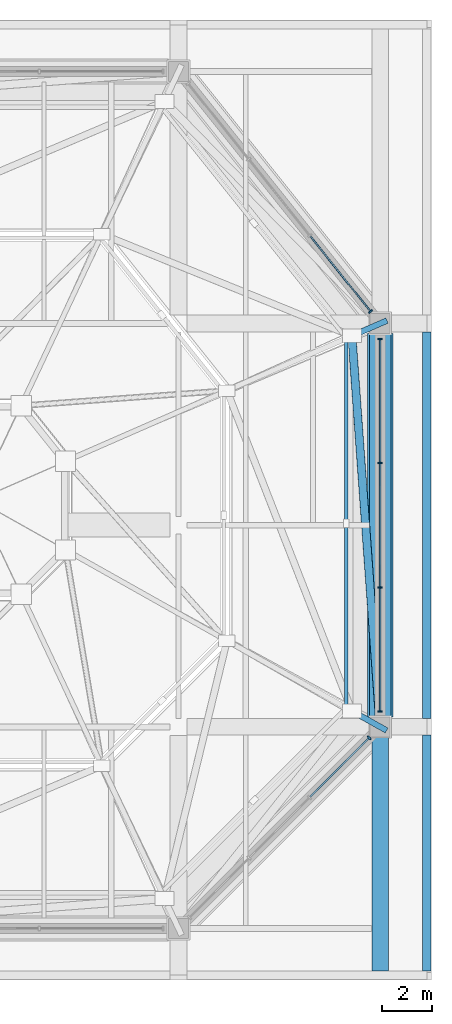
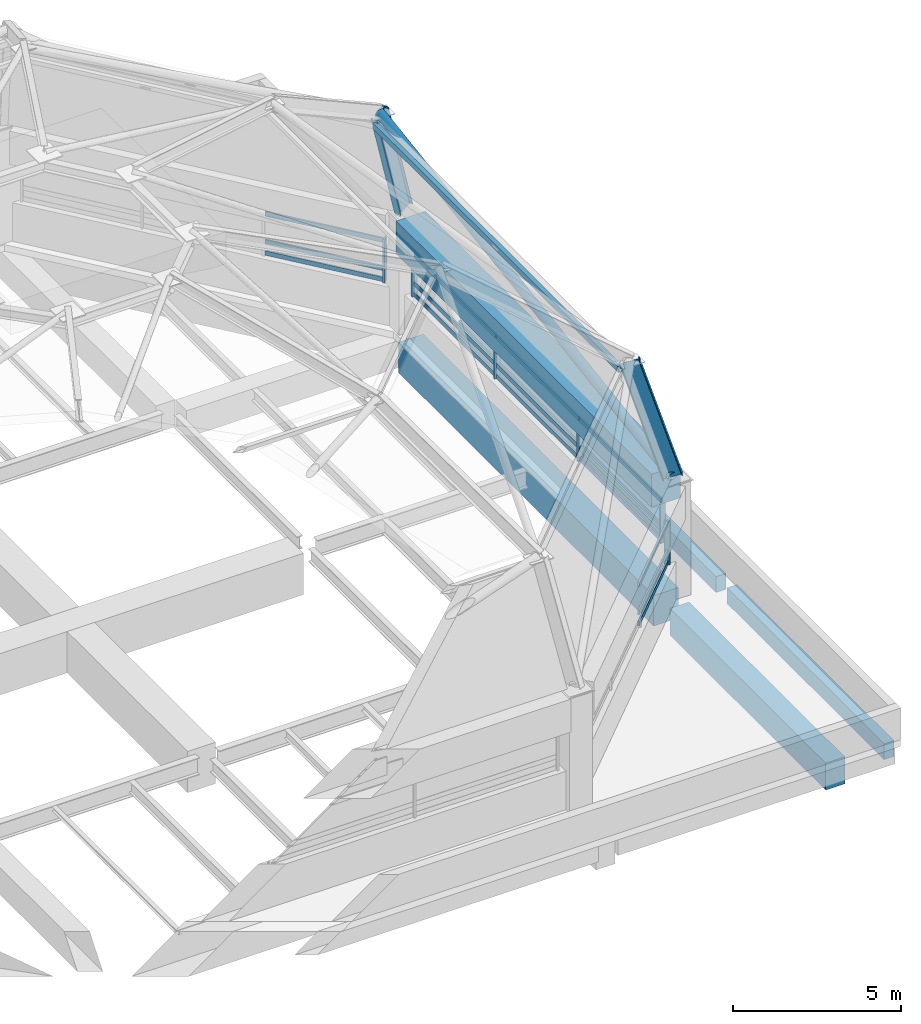
# One storey, part 6 of 10: 25 members, 5 beams, 3 elements without a shape of their own.
"""IFC4 building model written with IfcOpenShell, lengths in metres."""

from ifc_helpers import new_model, si_unit, direction, frame, origin, origin_2d, place, context, subcontext, project, spatial, rectangle, hollow_rectangle, hollow_circle, i_section, extrude, material, material_profile, profile_set, type_object, element, aggregate, save


model = new_model("IFC4")

# Units and contexts
model_context = context("Model", 3, precision=1e-05, world=origin(), true_north=direction((0.0, 1.0)))
body_context = subcontext(model_context, "Body", "Model", "MODEL_VIEW")
ifc_project = project(units=[si_unit("LENGTHUNIT", "METRE"), si_unit("AREAUNIT", "SQUARE_METRE"), si_unit("VOLUMEUNIT", "CUBIC_METRE"), si_unit("PLANEANGLEUNIT", "RADIAN"), si_unit("MASSUNIT", "GRAM", prefix="KILO")], contexts=[model_context])

# Site, building, storey
site_placement = place(None, origin())
site = spatial("IfcSite", under=ifc_project, at=site_placement, CompositionType="ELEMENT")
building_placement = place(site_placement, origin())
building = spatial("IfcBuilding", under=site, at=building_placement, Name="Pecanmere Concourse Central Library", CompositionType="ELEMENT")
storey_placement = place(building_placement, frame((0.0, 0.0, 34.800048828125)))
storey = spatial("IfcBuildingStorey", under=building, at=storey_placement, Name="ROOF", CompositionType="ELEMENT", Elevation=34.800048828125)

# Curtain wall, member
ifc_material_1 = material(Name="Anodized bronze aluminium alloy 6063-T6", Category="aluminium")
curtain_wall_type = type_object("IfcCurtainWallType", Name="CW_PORTAL_CLEAR", PredefinedType="USERDEFINED", material=ifc_material_1)
curtain_wall_1_placement = place(storey_placement, origin())
curtain_wall_1 = element("IfcCurtainWall", 1, at=curtain_wall_1_placement, inside=storey, type_object=curtain_wall_type, Name="Unitised Curtain Wall CW-03 ROOF-174", ObjectType="UNITISED CURTAIN WALL", PredefinedType="USERDEFINED")
ifc_material_2 = material(Name="Anodized bronze aluminium alloy 6063-T6", Category="aluminium")
ifc_material_profile_1 = material_profile(ifc_material_2, rectangle(XDim=0.06494140625, YDim=0.179931640625, at=origin_2d()), Name="AL 65x180")
ifc_profile_set_1 = profile_set([ifc_material_profile_1], Name="Anodized bronze aluminium alloy 6063-T6")
member_type_1 = type_object("IfcMemberType", Name="CWM_180x65", PredefinedType="MULLION", material=ifc_profile_set_1)
member_1_placement = place(storey_placement, frame((103.56689453125, 97.56689453125, 1.419921875), z_axis=(0.0, 0.0, 1.0), x_axis=(0.707106781187, 0.707106781187, 0.0)))
member_1 = element("IfcMember", 2, at=member_1_placement, type_object=member_type_1, Name="CW-03 Mullion 4", PredefinedType="MULLION", context=body_context, shape_type="SweptSolid", body=[
    extrude(rectangle(XDim=0.06494140625, YDim=0.179931640625, at=origin_2d()), origin(), (0.0, 0.0, 1.0), 1.580078125),
])

# Curtain wall, members
curtain_wall_2_placement = place(storey_placement, origin())
curtain_wall_2 = element("IfcCurtainWall", 3, at=curtain_wall_2_placement, inside=storey, type_object=curtain_wall_type, Name="Unitised Curtain Wall CW-03 ROOF-175", ObjectType="UNITISED CURTAIN WALL", PredefinedType="USERDEFINED")
member_2_placement = place(storey_placement, frame((104.0, 98.612548828125, 1.419921875), z_axis=(0.0, 0.0, 1.0), x_axis=(0.0, 1.0, 0.0)))
member_2 = element("IfcMember", 4, at=member_2_placement, type_object=member_type_1, Name="CW-03 Mullion 1", PredefinedType="MULLION", context=body_context, shape_type="SweptSolid", body=[
    extrude(rectangle(XDim=0.06494140625, YDim=0.179931640625, at=origin_2d()), origin(), (0.0, 0.0, 1.0), 1.580078125),
])
member_3_placement = place(storey_placement, frame((104.0, 103.526611328125, 1.419921875), z_axis=(0.0, 0.0, 1.0), x_axis=(0.0, 1.0, 0.0)))
member_3 = element("IfcMember", 5, at=member_3_placement, type_object=member_type_1, Name="CW-03 Mullion 2", PredefinedType="MULLION", context=body_context, shape_type="SweptSolid", body=[
    extrude(rectangle(XDim=0.06494140625, YDim=0.179931640625, at=origin_2d()), origin(), (0.0, 0.0, 1.0), 1.580078125),
])
member_4_placement = place(storey_placement, frame((104.0, 108.473388671875, 1.419921875), z_axis=(0.0, 0.0, 1.0), x_axis=(0.0, 1.0, 0.0)))
member_4 = element("IfcMember", 6, at=member_4_placement, type_object=member_type_1, Name="CW-03 Mullion 3", PredefinedType="MULLION", context=body_context, shape_type="SweptSolid", body=[
    extrude(rectangle(XDim=0.06494140625, YDim=0.179931640625, at=origin_2d()), origin(), (0.0, 0.0, 1.0), 1.580078125),
])
member_5_placement = place(storey_placement, frame((104.0, 113.387451171875, 1.419921875), z_axis=(0.0, 0.0, 1.0), x_axis=(0.0, 1.0, 0.0)))
member_5 = element("IfcMember", 7, at=member_5_placement, type_object=member_type_1, Name="CW-03 Mullion 4", PredefinedType="MULLION", context=body_context, shape_type="SweptSolid", body=[
    extrude(rectangle(XDim=0.06494140625, YDim=0.179931640625, at=origin_2d()), origin(), (0.0, 0.0, 1.0), 1.580078125),
])

# Curtain wall, member
curtain_wall_3_placement = place(storey_placement, origin())
curtain_wall_3 = element("IfcCurtainWall", 8, at=curtain_wall_3_placement, inside=storey, type_object=curtain_wall_type, Name="Unitised Curtain Wall CW-03 ROOF-176", ObjectType="UNITISED CURTAIN WALL", PredefinedType="USERDEFINED")
member_6_placement = place(storey_placement, frame((103.617431640625, 114.478271484375, 1.419921875), z_axis=(0.0, 0.0, 1.0), x_axis=(-0.62469714181, 0.780867134034, 0.0)))
member_6 = element("IfcMember", 9, at=member_6_placement, type_object=member_type_1, Name="CW-03 Mullion 1", PredefinedType="MULLION", context=body_context, shape_type="SweptSolid", body=[
    extrude(rectangle(XDim=0.06494140625, YDim=0.179931640625, at=origin_2d()), origin(), (0.0, 0.0, 1.0), 1.580078125),
])

# Member
ifc_material_3 = material(Name="Anodized bronze aluminium alloy 6063-T6", Category="aluminium")
ifc_material_profile_2 = material_profile(ifc_material_3, rectangle(XDim=0.06005859375, YDim=0.159912109375, at=origin_2d()), Name="AL 60x160")
ifc_profile_set_2 = profile_set([ifc_material_profile_2], Name="Anodized bronze aluminium alloy 6063-T6")
member_type_2 = type_object("IfcMemberType", Name="CWT_160x60", PredefinedType="USERDEFINED", material=ifc_profile_set_2)
member_7_placement = place(storey_placement, frame((101.2197265625, 95.2197265625, 1.5), z_axis=(0.707106781187, 0.707106781187, 0.0), x_axis=(-0.707106781187, 0.707106781187, 0.0)))
member_7 = element("IfcMember", 10, at=member_7_placement, type_object=member_type_2, Name="CW-03 Transom 3.1", ObjectType="TRANSOM", PredefinedType="USERDEFINED", context=body_context, shape_type="SweptSolid", body=[
    extrude(rectangle(XDim=0.06005859375, YDim=0.159912109375, at=origin_2d()), origin(), (0.0, 0.0, 1.0), 3.286865234375),
])

member_8_placement = place(storey_placement, frame((101.2197265625, 95.2197265625, 1.89990234375), z_axis=(0.707106781187, 0.707106781187, 0.0), x_axis=(-0.707106781187, 0.707106781187, 0.0)))
member_8 = element("IfcMember", 11, at=member_8_placement, type_object=member_type_2, Name="CW-03 Transom 3.2", ObjectType="TRANSOM", PredefinedType="USERDEFINED", context=body_context, shape_type="SweptSolid", body=[
    extrude(rectangle(XDim=0.06005859375, YDim=0.159912109375, at=origin_2d()), origin(), (0.0, 0.0, 1.0), 3.286865234375),
])

member_9_placement = place(storey_placement, frame((101.2197265625, 95.2197265625, 2.919921875), z_axis=(0.707106781187, 0.707106781187, 0.0), x_axis=(-0.707106781187, 0.707106781187, 0.0)))
member_9 = element("IfcMember", 12, at=member_9_placement, type_object=member_type_2, Name="CW-03 Transom 3.3", ObjectType="TRANSOM", PredefinedType="USERDEFINED", context=body_context, shape_type="SweptSolid", body=[
    extrude(rectangle(XDim=0.06005859375, YDim=0.159912109375, at=origin_2d()), origin(), (0.0, 0.0, 1.0), 3.286865234375),
])

aggregate(curtain_wall_1, [member_1, member_7, member_8, member_9])

member_10_placement = place(storey_placement, frame((104.0, 98.64501953125, 1.5), z_axis=(0.0, 1.0, 0.0), x_axis=(-1.0, 0.0, 0.0)))
member_10 = element("IfcMember", 13, at=member_10_placement, type_object=member_type_2, Name="CW-03 Transom 1.1", ObjectType="TRANSOM", PredefinedType="USERDEFINED", context=body_context, shape_type="SweptSolid", body=[
    extrude(rectangle(XDim=0.06005859375, YDim=0.159912109375, at=origin_2d()), origin(), (0.0, 0.0, 1.0), 4.84912109375),
])

member_11_placement = place(storey_placement, frame((104.0, 98.64501953125, 1.89990234375), z_axis=(0.0, 1.0, 0.0), x_axis=(-1.0, 0.0, 0.0)))
member_11 = element("IfcMember", 14, at=member_11_placement, type_object=member_type_2, Name="CW-03 Transom 1.2", ObjectType="TRANSOM", PredefinedType="USERDEFINED", context=body_context, shape_type="SweptSolid", body=[
    extrude(rectangle(XDim=0.06005859375, YDim=0.159912109375, at=origin_2d()), origin(), (0.0, 0.0, 1.0), 4.84912109375),
])

member_12_placement = place(storey_placement, frame((104.0, 98.64501953125, 2.919921875), z_axis=(0.0, 1.0, 0.0), x_axis=(-1.0, 0.0, 0.0)))
member_12 = element("IfcMember", 15, at=member_12_placement, type_object=member_type_2, Name="CW-03 Transom 1.3", ObjectType="TRANSOM", PredefinedType="USERDEFINED", context=body_context, shape_type="SweptSolid", body=[
    extrude(rectangle(XDim=0.06005859375, YDim=0.159912109375, at=origin_2d()), origin(), (0.0, 0.0, 1.0), 4.84912109375),
])

member_13_placement = place(storey_placement, frame((104.0, 103.55908203125, 1.5), z_axis=(0.0, 1.0, 0.0), x_axis=(-1.0, 0.0, 0.0)))
member_13 = element("IfcMember", 16, at=member_13_placement, type_object=member_type_2, Name="CW-03 Transom 2.1", ObjectType="TRANSOM", PredefinedType="USERDEFINED", context=body_context, shape_type="SweptSolid", body=[
    extrude(rectangle(XDim=0.06005859375, YDim=0.159912109375, at=origin_2d()), origin(), (0.0, 0.0, 1.0), 4.8818359375),
])

member_14_placement = place(storey_placement, frame((104.0, 103.55908203125, 1.89990234375), z_axis=(0.0, 1.0, 0.0), x_axis=(-1.0, 0.0, 0.0)))
member_14 = element("IfcMember", 17, at=member_14_placement, type_object=member_type_2, Name="CW-03 Transom 2.2", ObjectType="TRANSOM", PredefinedType="USERDEFINED", context=body_context, shape_type="SweptSolid", body=[
    extrude(rectangle(XDim=0.06005859375, YDim=0.159912109375, at=origin_2d()), origin(), (0.0, 0.0, 1.0), 4.8818359375),
])

member_15_placement = place(storey_placement, frame((104.0, 103.55908203125, 2.919921875), z_axis=(0.0, 1.0, 0.0), x_axis=(-1.0, 0.0, 0.0)))
member_15 = element("IfcMember", 18, at=member_15_placement, type_object=member_type_2, Name="CW-03 Transom 2.3", ObjectType="TRANSOM", PredefinedType="USERDEFINED", context=body_context, shape_type="SweptSolid", body=[
    extrude(rectangle(XDim=0.06005859375, YDim=0.159912109375, at=origin_2d()), origin(), (0.0, 0.0, 1.0), 4.8818359375),
])

member_16_placement = place(storey_placement, frame((104.0, 108.505859375, 1.5), z_axis=(0.0, 1.0, 0.0), x_axis=(-1.0, 0.0, 0.0)))
member_16 = element("IfcMember", 19, at=member_16_placement, type_object=member_type_2, Name="CW-03 Transom 3.1", ObjectType="TRANSOM", PredefinedType="USERDEFINED", context=body_context, shape_type="SweptSolid", body=[
    extrude(rectangle(XDim=0.06005859375, YDim=0.159912109375, at=origin_2d()), origin(), (0.0, 0.0, 1.0), 4.84912109375),
])

member_17_placement = place(storey_placement, frame((104.0, 108.505859375, 1.89990234375), z_axis=(0.0, 1.0, 0.0), x_axis=(-1.0, 0.0, 0.0)))
member_17 = element("IfcMember", 20, at=member_17_placement, type_object=member_type_2, Name="CW-03 Transom 3.2", ObjectType="TRANSOM", PredefinedType="USERDEFINED", context=body_context, shape_type="SweptSolid", body=[
    extrude(rectangle(XDim=0.06005859375, YDim=0.159912109375, at=origin_2d()), origin(), (0.0, 0.0, 1.0), 4.84912109375),
])

member_18_placement = place(storey_placement, frame((104.0, 108.505859375, 2.919921875), z_axis=(0.0, 1.0, 0.0), x_axis=(-1.0, 0.0, 0.0)))
member_18 = element("IfcMember", 21, at=member_18_placement, type_object=member_type_2, Name="CW-03 Transom 3.3", ObjectType="TRANSOM", PredefinedType="USERDEFINED", context=body_context, shape_type="SweptSolid", body=[
    extrude(rectangle(XDim=0.06005859375, YDim=0.159912109375, at=origin_2d()), origin(), (0.0, 0.0, 1.0), 4.84912109375),
])

aggregate(curtain_wall_2, [member_2, member_3, member_4, member_5, member_10, member_11, member_12, member_13, member_14, member_15, member_16, member_17, member_18])

member_19_placement = place(storey_placement, frame((103.59716796875, 114.503662109375, 1.5), z_axis=(-0.624695047554, 0.780868809443, 0.0), x_axis=(-0.780868809443, -0.624695047554, 0.0)))
member_19 = element("IfcMember", 22, at=member_19_placement, type_object=member_type_2, Name="CW-03 Transom 1.1", ObjectType="TRANSOM", PredefinedType="USERDEFINED", context=body_context, shape_type="SweptSolid", body=[
    extrude(rectangle(XDim=0.06005859375, YDim=0.159912109375, at=origin_2d()), origin(), (0.0, 0.0, 1.0), 3.78466796875),
])

member_20_placement = place(storey_placement, frame((103.59716796875, 114.503662109375, 1.89990234375), z_axis=(-0.624695047554, 0.780868809443, 0.0), x_axis=(-0.780868809443, -0.624695047554, 0.0)))
member_20 = element("IfcMember", 23, at=member_20_placement, type_object=member_type_2, Name="CW-03 Transom 1.2", ObjectType="TRANSOM", PredefinedType="USERDEFINED", context=body_context, shape_type="SweptSolid", body=[
    extrude(rectangle(XDim=0.06005859375, YDim=0.159912109375, at=origin_2d()), origin(), (0.0, 0.0, 1.0), 3.78466796875),
])

member_21_placement = place(storey_placement, frame((103.59716796875, 114.503662109375, 2.919921875), z_axis=(-0.624695047554, 0.780868809443, 0.0), x_axis=(-0.780868809443, -0.624695047554, 0.0)))
member_21 = element("IfcMember", 24, at=member_21_placement, type_object=member_type_2, Name="CW-03 Transom 1.3", ObjectType="TRANSOM", PredefinedType="USERDEFINED", context=body_context, shape_type="SweptSolid", body=[
    extrude(rectangle(XDim=0.06005859375, YDim=0.159912109375, at=origin_2d()), origin(), (0.0, 0.0, 1.0), 3.78466796875),
])

aggregate(curtain_wall_3, [member_6, member_19, member_20, member_21])

# Beam
ifc_material_4 = material(Name="Concrete C40/50", Category="concrete")
ifc_material_profile_3 = material_profile(ifc_material_4, rectangle(XDim=0.659912109375, YDim=0.97998046875, at=origin_2d()), Name="RC 660x980")
ifc_profile_set_3 = profile_set([ifc_material_profile_3], Name="Concrete C40/50")
beam_type_1 = type_object("IfcBeamType", Name="GRD_660x980", PredefinedType="USERDEFINED", material=ifc_profile_set_3)
beam_1_placement = place(storey_placement, frame((104.0, 88.318603515625, -0.72998046875), z_axis=(0.0, 1.0, 0.0), x_axis=(-1.0, 0.0, 0.0)))
element("IfcBeam", 25, at=beam_1_placement, inside=storey, type_object=beam_type_1, Name="Primary Girder Y ROOF-2884", ObjectType="GIRDER", PredefinedType="USERDEFINED", context=body_context, shape_type="SweptSolid", body=[
    extrude(rectangle(XDim=0.659912109375, YDim=0.97998046875, at=origin_2d()), origin(), (0.0, 0.0, 1.0), 9.281494140625),
])

# Members
ifc_material_5 = material(Name="Structural steel ASTM A500 Grade C", Category="steel")
ifc_material_profile_4 = material_profile(ifc_material_5, hollow_circle(Radius=0.162109375, WallThickness=0.0126953125, at=origin_2d()), Name="HSS323.9x12.7")
ifc_profile_set_4 = profile_set([ifc_material_profile_4], Name="Structural steel ASTM A500 Grade C")
member_type_3 = type_object("IfcMemberType", Name="MEM_BRACE_1", PredefinedType="BRACE", material=ifc_profile_set_4)
member_22_placement = place(storey_placement, frame((104.0, 98.0, 4.199951171875), z_axis=(-0.069539686351, 0.96290033439, 0.26074351009), x_axis=(-0.997402365713, -0.072031388089, 0.0)))
element("IfcMember", 26, at=member_22_placement, inside=storey, type_object=member_type_3, Name="Dome Lower Wind Brace 3", PredefinedType="BRACE", context=body_context, shape_type="SweptSolid", body=[
    extrude(hollow_circle(Radius=0.162109375, WallThickness=0.0126953125, at=origin_2d()), origin(), (0.0, 0.0, 1.0), 16.107666015625),
])
ifc_material_6 = material(Name="Structural steel ASTM A992 Grade 50", Category="steel")
ifc_material_profile_5 = material_profile(ifc_material_6, i_section(OverallWidth=0.22998046875, OverallDepth=0.616943359375, WebThickness=0.01318359375, FlangeThickness=0.022216796875, at=origin_2d()), Name="W610x140")
ifc_profile_set_5 = profile_set([ifc_material_profile_5], Name="Structural steel ASTM A992 Grade 50")
member_type_4 = type_object("IfcMemberType", Name="MEM_DOME_RIB_1", PredefinedType="USERDEFINED", material=ifc_profile_set_5)
member_23_placement = place(storey_placement, frame((104.0, 98.0, 4.199951171875), z_axis=(-0.255026926905, 0.143410957153, 0.956239804611), x_axis=(-0.490152996973, -0.871636414773, 0.0)))
element("IfcMember", 27, at=member_23_placement, inside=storey, type_object=member_type_4, Name="Octagonal Dome Arch Rib 3 Tier 1", ObjectType="ARCH_SEGMENT", PredefinedType="USERDEFINED", context=body_context, shape_type="SweptSolid", body=[
    extrude(i_section(OverallWidth=0.22998046875, OverallDepth=0.616943359375, WebThickness=0.01318359375, FlangeThickness=0.022216796875, at=origin_2d()), origin(), (0.0, 0.0, 1.0), 4.39208984375),
])
member_24_placement = place(storey_placement, frame((104.0, 114.0, 4.199951171875), z_axis=(-0.256068811776, -0.112016151969, 0.960146418696), x_axis=(0.40077693153, -0.9161756661, 0.0)))
element("IfcMember", 28, at=member_24_placement, inside=storey, type_object=member_type_4, Name="Octagonal Dome Arch Rib 4 Tier 1", ObjectType="ARCH_SEGMENT", PredefinedType="USERDEFINED", context=body_context, shape_type="SweptSolid", body=[
    extrude(i_section(OverallWidth=0.22998046875, OverallDepth=0.616943359375, WebThickness=0.01318359375, FlangeThickness=0.022216796875, at=origin_2d()), origin(), (0.0, 0.0, 1.0), 4.374267578125),
])
ifc_material_7 = material(Name="Structural steel ASTM A500 Grade C", Category="steel")
ifc_material_profile_6 = material_profile(ifc_material_7, hollow_rectangle(XDim=0.152099609375, YDim=0.202880859375, WallThickness=0.009521484375, at=origin_2d()), Name="HSS203x152x9.5")
ifc_profile_set_6 = profile_set([ifc_material_profile_6], Name="Structural steel ASTM A500 Grade C")
member_type_5 = type_object("IfcMemberType", Name="MEM_PURLIN_1", PredefinedType="PURLIN", material=ifc_profile_set_6)
member_25_placement = place(storey_placement, frame((102.656005859375, 98.756103515625, 8.099853515625), z_axis=(0.0, 1.0, 0.0), x_axis=(-1.0, 0.0, 0.0)))
element("IfcMember", 29, at=member_25_placement, inside=storey, type_object=member_type_5, Name="Dome Octagonal Purlin Ring 1.3", PredefinedType="PURLIN", context=body_context, shape_type="SweptSolid", body=[
    extrude(hollow_rectangle(XDim=0.152099609375, YDim=0.202880859375, WallThickness=0.009521484375, at=origin_2d()), origin(), (0.0, 0.0, 1.0), 14.656005859375),
])

# Beams
ifc_material_8 = material(Name="Concrete C40/50", Category="concrete")
ifc_material_profile_7 = material_profile(ifc_material_8, rectangle(XDim=1.0, YDim=1.199951171875, at=origin_2d()), Name="RC 1000x1200")
ifc_profile_set_7 = profile_set([ifc_material_profile_7], Name="Concrete C40/50")
beam_type_2 = type_object("IfcBeamType", Name="RB_1000x1200", PredefinedType="BEAM", material=ifc_profile_set_7)
beam_2_placement = place(storey_placement, frame((104.0, 98.39990234375, 3.599853515625), z_axis=(0.0, 1.0, 0.0), x_axis=(-1.0, 0.0, 0.0)))
element("IfcBeam", 30, at=beam_2_placement, inside=storey, type_object=beam_type_2, Name="Dome Tension Ring Beam Segment 3", PredefinedType="BEAM", context=body_context, shape_type="SweptSolid", body=[
    extrude(rectangle(XDim=1.0, YDim=1.199951171875, at=origin_2d()), origin(), (0.0, 0.0, 1.0), 15.2001953125),
])
ifc_material_9 = material(Name="Concrete C40/50", Category="concrete")
ifc_material_profile_8 = material_profile(ifc_material_9, rectangle(XDim=0.85009765625, YDim=1.10009765625, at=origin_2d()), Name="RC 850x1100")
ifc_profile_set_8 = profile_set([ifc_material_profile_8], Name="Concrete C40/50")
beam_type_3 = type_object("IfcBeamType", Name="RB_850x1100", PredefinedType="BEAM", material=ifc_profile_set_8)
beam_3_placement = place(storey_placement, frame((104.0, 98.39990234375, -0.7900390625), z_axis=(0.0, 1.0, 0.0), x_axis=(-1.0, 0.0, 0.0)))
element("IfcBeam", 31, at=beam_3_placement, inside=storey, type_object=beam_type_3, Name="Drum Base Ring Girder Segment 3", PredefinedType="BEAM", context=body_context, shape_type="SweptSolid", body=[
    extrude(rectangle(XDim=0.85009765625, YDim=1.10009765625, at=origin_2d()), origin(), (0.0, 0.0, 1.0), 15.2001953125),
])
ifc_material_10 = material(Name="Concrete C40/50", Category="concrete")
ifc_material_profile_9 = material_profile(ifc_material_10, rectangle(XDim=0.340087890625, YDim=0.580078125, at=origin_2d()), Name="RC 340x580")
ifc_profile_set_9 = profile_set([ifc_material_profile_9], Name="Concrete C40/50")
beam_type_4 = type_object("IfcBeamType", Name="SPB_340x580", PredefinedType="BEAM", material=ifc_profile_set_9)
beam_4_placement = place(storey_placement, frame((105.8515625, 88.318603515625, -0.530029296875), z_axis=(0.0, 1.0, 0.0), x_axis=(-1.0, 0.0, 0.0)))
element("IfcBeam", 32, at=beam_4_placement, inside=storey, type_object=beam_type_4, Name="Leaning Facade Edge Beam ROOF-2895", PredefinedType="BEAM", context=body_context, shape_type="SweptSolid", body=[
    extrude(rectangle(XDim=0.340087890625, YDim=0.580078125, at=origin_2d()), origin(), (0.0, 0.0, 1.0), 9.351318359375),
])
beam_5_placement = place(storey_placement, frame((105.8515625, 98.330078125, -0.530029296875), z_axis=(0.0, 1.0, 0.0), x_axis=(-1.0, 0.0, 0.0)))
element("IfcBeam", 33, at=beam_5_placement, inside=storey, type_object=beam_type_4, Name="Leaning Facade Edge Beam ROOF-2896", PredefinedType="BEAM", context=body_context, shape_type="SweptSolid", body=[
    extrude(rectangle(XDim=0.340087890625, YDim=0.580078125, at=origin_2d()), origin(), (0.0, 0.0, 1.0), 15.33984375),
])

save(model, "model.ifc")
